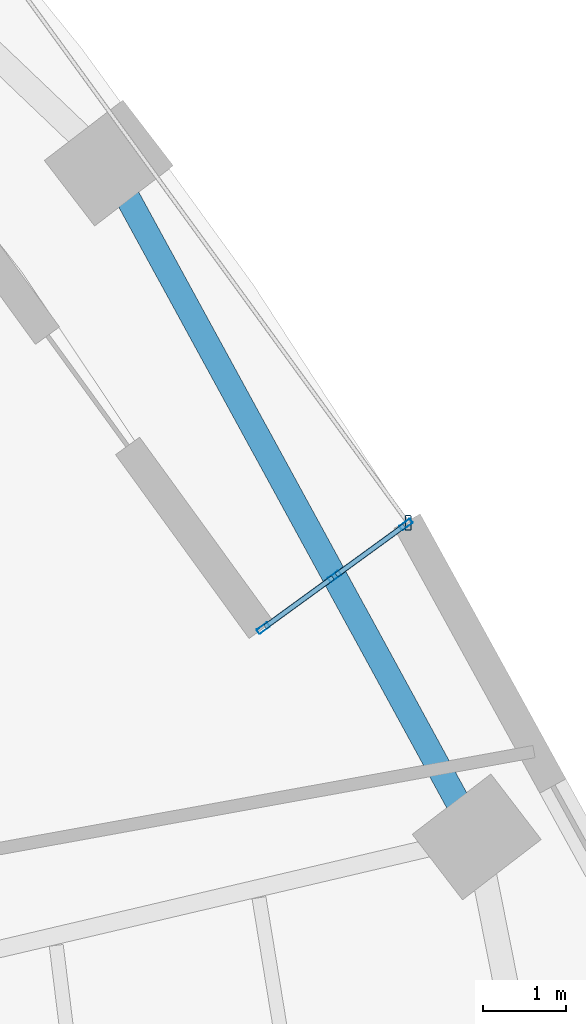
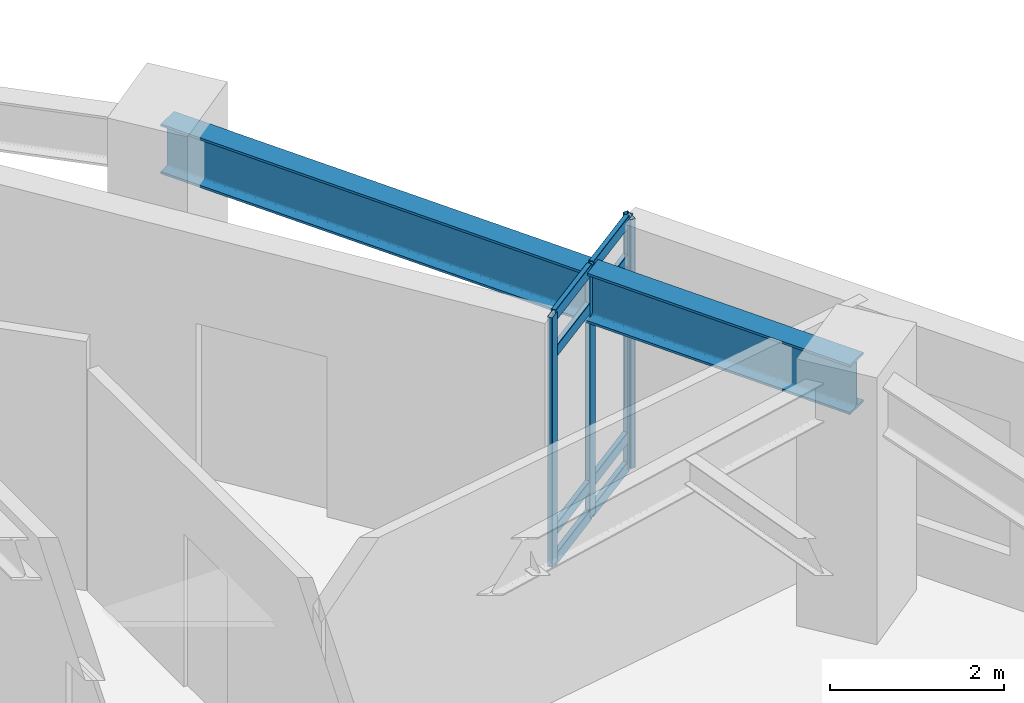
# One storey, part 4 of 15: 12 members, 1 beam, 1 element without a shape of its own.
"""IFC4 building model written with IfcOpenShell, lengths in metres."""

from ifc_helpers import new_model, si_unit, direction, frame, origin, origin_2d, place, context, subcontext, project, spatial, hollow_rectangle, i_section, extrude, material, layer, layer_set, material_profile, profile_set, type_object, element, aggregate, save


model = new_model("IFC4")

# Units and contexts
model_context = context("Model", 3, precision=1e-05, world=origin(), true_north=direction((0.0, 1.0)))
body_context = subcontext(model_context, "Body", "Model", "MODEL_VIEW")
ifc_project = project(units=[si_unit("LENGTHUNIT", "METRE"), si_unit("AREAUNIT", "SQUARE_METRE"), si_unit("VOLUMEUNIT", "CUBIC_METRE"), si_unit("PLANEANGLEUNIT", "RADIAN"), si_unit("MASSUNIT", "GRAM", prefix="KILO")], contexts=[model_context])

# Site, building, storey
site_placement = place(None, origin())
site = spatial("IfcSite", under=ifc_project, at=site_placement, CompositionType="ELEMENT")
building_placement = place(site_placement, origin())
building = spatial("IfcBuilding", under=site, at=building_placement, Name="Ndelora Gate Hotel", CompositionType="ELEMENT")
storey_placement = place(building_placement, frame((0.0, 0.0, 56.75)))
storey = spatial("IfcBuildingStorey", under=building, at=storey_placement, Name="L13", CompositionType="ELEMENT", Elevation=56.75)

# Beam
ifc_material_1 = material(Name="Steel S355", Category="steel")
ifc_material_profile_1 = material_profile(ifc_material_1, i_section(OverallWidth=0.300048828125, OverallDepth=0.699951171875, WebThickness=0.01708984375, FlangeThickness=0.031982421875, FilletRadius=0.027099609375, at=origin_2d()), Name="HEB 700")
ifc_profile_set_1 = profile_set([ifc_material_profile_1], Name="Steel S355")
beam_type = type_object("IfcBeamType", Name="BM-RING-700", PredefinedType="SPANDREL", material=ifc_profile_set_1)
beam_placement = place(storey_placement, frame((18.207275390625, 2.39697265625, 3.14990234375), z_axis=(-0.479203651005, 0.87770374322, 0.0), x_axis=(-0.87770374322, -0.479203651005, 0.0)))
element("IfcBeam", 1, at=beam_placement, inside=storey, type_object=beam_type, Name="L13 Perimeter Spandrel Girder 10", PredefinedType="SPANDREL", context=body_context, shape_type="SweptSolid", body=[
    extrude(i_section(OverallWidth=0.300048828125, OverallDepth=0.699951171875, WebThickness=0.01708984375, FlangeThickness=0.031982421875, FilletRadius=0.027099609375, at=origin_2d()), origin(), (0.0, 0.0, 1.0), 9.293212890625),
])

# Curtain wall, members
ifc_material_2 = material(Name="Bronze Anodised Unitised Aluminium and Low-E Glass", Category="aluminium")
ifc_layer = layer(ifc_material_2, 0.199951171875)
ifc_layer_set = layer_set([ifc_layer], Name="Bronze Anodised Unitised Aluminium and Low-E Glass")
curtain_wall_type = type_object("IfcCurtainWallType", Name="CW-SYS-3", PredefinedType="NOTDEFINED", material=ifc_layer_set)
curtain_wall_placement = place(storey_placement, origin())
curtain_wall = element("IfcCurtainWall", 2, at=curtain_wall_placement, inside=storey, type_object=curtain_wall_type, Name="L13 Sky-Garden Loggia Side Curtain Wall CW3-1", PredefinedType="NOTDEFINED")
ifc_material_3 = material(Name="Bronze Anodised Aluminium 6063-T6", Category="aluminium")
ifc_material_profile_2 = material_profile(ifc_material_3, hollow_rectangle(XDim=0.06494140625, YDim=0.159912109375, WallThickness=0.00390625, InnerFilletRadius=0.00390625, OuterFilletRadius=0.008056640625, at=origin_2d()), Name="ALU 160x65x4")
ifc_profile_set_2 = profile_set([ifc_material_profile_2], Name="Bronze Anodised Aluminium 6063-T6")
member_type_1 = type_object("IfcMemberType", Name="MB-CW-MUL150", PredefinedType="MULLION", material=ifc_profile_set_2)
member_1_placement = place(storey_placement, frame((15.6240234375, 4.923828125, -0.00390625), z_axis=(0.0, 0.0, 1.0), x_axis=(-0.587785135859, 0.809017078969, 0.0)))
member_1 = element("IfcMember", 3, at=member_1_placement, type_object=member_type_1, Name="CW3 mullion 1", PredefinedType="MULLION", context=body_context, shape_type="SweptSolid", body=[
    extrude(hollow_rectangle(XDim=0.06494140625, YDim=0.159912109375, WallThickness=0.00390625, InnerFilletRadius=0.00390625, OuterFilletRadius=0.008056640625, at=origin_2d()), origin(), (0.0, 0.0, 1.0), 3.5078125),
])
member_2_placement = place(storey_placement, frame((16.487548828125, 5.55126953125, -0.00390625), z_axis=(0.0, 0.0, 1.0), x_axis=(-0.587785135859, 0.809017078969, 0.0)))
member_2 = element("IfcMember", 4, at=member_2_placement, type_object=member_type_1, Name="CW3 mullion 2", PredefinedType="MULLION", context=body_context, shape_type="SweptSolid", body=[
    extrude(hollow_rectangle(XDim=0.06494140625, YDim=0.159912109375, WallThickness=0.00390625, InnerFilletRadius=0.00390625, OuterFilletRadius=0.008056640625, at=origin_2d()), origin(), (0.0, 0.0, 1.0), 3.5078125),
])
member_3_placement = place(storey_placement, frame((17.351318359375, 6.1787109375, -0.00390625), z_axis=(0.0, 0.0, 1.0), x_axis=(-0.587785135859, 0.809017078969, 0.0)))
member_3 = element("IfcMember", 5, at=member_3_placement, type_object=member_type_1, Name="CW3 mullion 3", PredefinedType="MULLION", context=body_context, shape_type="SweptSolid", body=[
    extrude(hollow_rectangle(XDim=0.06494140625, YDim=0.159912109375, WallThickness=0.00390625, InnerFilletRadius=0.00390625, OuterFilletRadius=0.008056640625, at=origin_2d()), origin(), (0.0, 0.0, 1.0), 3.5078125),
])
ifc_material_profile_3 = material_profile(ifc_material_3, hollow_rectangle(XDim=0.070068359375, YDim=0.179931640625, WallThickness=0.0048828125, InnerFilletRadius=0.0048828125, OuterFilletRadius=0.010009765625, at=origin_2d()), Name="ALU 180x70x5")
ifc_profile_set_3 = profile_set([ifc_material_profile_3], Name="Bronze Anodised Aluminium 6063-T6")
member_type_2 = type_object("IfcMemberType", Name="MB-CW-MUL180", PredefinedType="MULLION", material=ifc_profile_set_3)
member_4_placement = place(storey_placement, frame((17.37744140625, 6.197998046875, 0.0), z_axis=(0.0, 0.0, 1.0), x_axis=(1.0, 0.0, 0.0)))
member_4 = element("IfcMember", 6, at=member_4_placement, type_object=member_type_2, Name="L13 Sky-Garden Loggia Corner Mullion Post 1", PredefinedType="MULLION", context=body_context, shape_type="SweptSolid", body=[
    extrude(hollow_rectangle(XDim=0.070068359375, YDim=0.179931640625, WallThickness=0.0048828125, InnerFilletRadius=0.0048828125, OuterFilletRadius=0.010009765625, at=origin_2d()), origin(), (0.0, 0.0, 1.0), 3.5),
])
ifc_material_profile_4 = material_profile(ifc_material_3, hollow_rectangle(XDim=0.06494140625, YDim=0.159912109375, WallThickness=0.00390625, InnerFilletRadius=0.00390625, OuterFilletRadius=0.008056640625, at=origin_2d()), Name="ALU 160x65x4")
ifc_profile_set_4 = profile_set([ifc_material_profile_4], Name="Bronze Anodised Aluminium 6063-T6")
member_type_3 = type_object("IfcMemberType", Name="MB-CW-TRN150", PredefinedType="USERDEFINED", material=ifc_profile_set_4)
member_5_placement = place(storey_placement, frame((15.6455078125, 4.939453125, 0.032470703125), z_axis=(0.808892166145, 0.587957025258, 0.0), x_axis=(-0.587957025258, 0.808892166145, 0.0)))
member_5 = element("IfcMember", 7, at=member_5_placement, type_object=member_type_3, Name="CW3 transom 1.1", ObjectType="TRANSOM", PredefinedType="USERDEFINED", context=body_context, shape_type="SweptSolid", body=[
    extrude(hollow_rectangle(XDim=0.06494140625, YDim=0.159912109375, WallThickness=0.00390625, InnerFilletRadius=0.00390625, OuterFilletRadius=0.008056640625, at=origin_2d()), origin(), (0.0, 0.0, 1.0), 1.014404296875),
])
member_6_placement = place(storey_placement, frame((15.6455078125, 4.939453125, 0.449951171875), z_axis=(0.808892166145, 0.587957025258, 0.0), x_axis=(-0.587957025258, 0.808892166145, 0.0)))
member_6 = element("IfcMember", 8, at=member_6_placement, type_object=member_type_3, Name="CW3 transom 1.2", ObjectType="TRANSOM", PredefinedType="USERDEFINED", context=body_context, shape_type="SweptSolid", body=[
    extrude(hollow_rectangle(XDim=0.06494140625, YDim=0.159912109375, WallThickness=0.00390625, InnerFilletRadius=0.00390625, OuterFilletRadius=0.008056640625, at=origin_2d()), origin(), (0.0, 0.0, 1.0), 1.014404296875),
])
member_7_placement = place(storey_placement, frame((15.6455078125, 4.939453125, 2.949951171875), z_axis=(0.808892166145, 0.587957025258, 0.0), x_axis=(-0.587957025258, 0.808892166145, 0.0)))
member_7 = element("IfcMember", 9, at=member_7_placement, type_object=member_type_3, Name="CW3 transom 1.3", ObjectType="TRANSOM", PredefinedType="USERDEFINED", context=body_context, shape_type="SweptSolid", body=[
    extrude(hollow_rectangle(XDim=0.06494140625, YDim=0.159912109375, WallThickness=0.00390625, InnerFilletRadius=0.00390625, OuterFilletRadius=0.008056640625, at=origin_2d()), origin(), (0.0, 0.0, 1.0), 1.014404296875),
])
member_8_placement = place(storey_placement, frame((15.6455078125, 4.939453125, 3.467529296875), z_axis=(0.808892166145, 0.587957025258, 0.0), x_axis=(-0.587957025258, 0.808892166145, 0.0)))
member_8 = element("IfcMember", 10, at=member_8_placement, type_object=member_type_3, Name="CW3 transom 1.4", ObjectType="TRANSOM", PredefinedType="USERDEFINED", context=body_context, shape_type="SweptSolid", body=[
    extrude(hollow_rectangle(XDim=0.06494140625, YDim=0.159912109375, WallThickness=0.00390625, InnerFilletRadius=0.00390625, OuterFilletRadius=0.008056640625, at=origin_2d()), origin(), (0.0, 0.0, 1.0), 1.014404296875),
])
member_9_placement = place(storey_placement, frame((16.509033203125, 5.56689453125, 0.032470703125), z_axis=(0.808975339931, 0.587842580444, 0.0), x_axis=(-0.587842580444, 0.808975339931, 0.0)))
member_9 = element("IfcMember", 11, at=member_9_placement, type_object=member_type_3, Name="CW3 transom 2.1", ObjectType="TRANSOM", PredefinedType="USERDEFINED", context=body_context, shape_type="SweptSolid", body=[
    extrude(hollow_rectangle(XDim=0.06494140625, YDim=0.159912109375, WallThickness=0.00390625, InnerFilletRadius=0.00390625, OuterFilletRadius=0.008056640625, at=origin_2d()), origin(), (0.0, 0.0, 1.0), 1.0146484375),
])
member_10_placement = place(storey_placement, frame((16.509033203125, 5.56689453125, 0.449951171875), z_axis=(0.808975339931, 0.587842580444, 0.0), x_axis=(-0.587842580444, 0.808975339931, 0.0)))
member_10 = element("IfcMember", 12, at=member_10_placement, type_object=member_type_3, Name="CW3 transom 2.2", ObjectType="TRANSOM", PredefinedType="USERDEFINED", context=body_context, shape_type="SweptSolid", body=[
    extrude(hollow_rectangle(XDim=0.06494140625, YDim=0.159912109375, WallThickness=0.00390625, InnerFilletRadius=0.00390625, OuterFilletRadius=0.008056640625, at=origin_2d()), origin(), (0.0, 0.0, 1.0), 1.0146484375),
])
member_11_placement = place(storey_placement, frame((16.509033203125, 5.56689453125, 2.949951171875), z_axis=(0.808975339931, 0.587842580444, 0.0), x_axis=(-0.587842580444, 0.808975339931, 0.0)))
member_11 = element("IfcMember", 13, at=member_11_placement, type_object=member_type_3, Name="CW3 transom 2.3", ObjectType="TRANSOM", PredefinedType="USERDEFINED", context=body_context, shape_type="SweptSolid", body=[
    extrude(hollow_rectangle(XDim=0.06494140625, YDim=0.159912109375, WallThickness=0.00390625, InnerFilletRadius=0.00390625, OuterFilletRadius=0.008056640625, at=origin_2d()), origin(), (0.0, 0.0, 1.0), 1.0146484375),
])
member_12_placement = place(storey_placement, frame((16.509033203125, 5.56689453125, 3.467529296875), z_axis=(0.808975339931, 0.587842580444, 0.0), x_axis=(-0.587842580444, 0.808975339931, 0.0)))
member_12 = element("IfcMember", 14, at=member_12_placement, type_object=member_type_3, Name="CW3 transom 2.4", ObjectType="TRANSOM", PredefinedType="USERDEFINED", context=body_context, shape_type="SweptSolid", body=[
    extrude(hollow_rectangle(XDim=0.06494140625, YDim=0.159912109375, WallThickness=0.00390625, InnerFilletRadius=0.00390625, OuterFilletRadius=0.008056640625, at=origin_2d()), origin(), (0.0, 0.0, 1.0), 1.0146484375),
])
aggregate(curtain_wall, [member_1, member_2, member_3, member_5, member_6, member_7, member_8, member_9, member_10, member_11, member_12, member_4])

save(model, "model.ifc")
